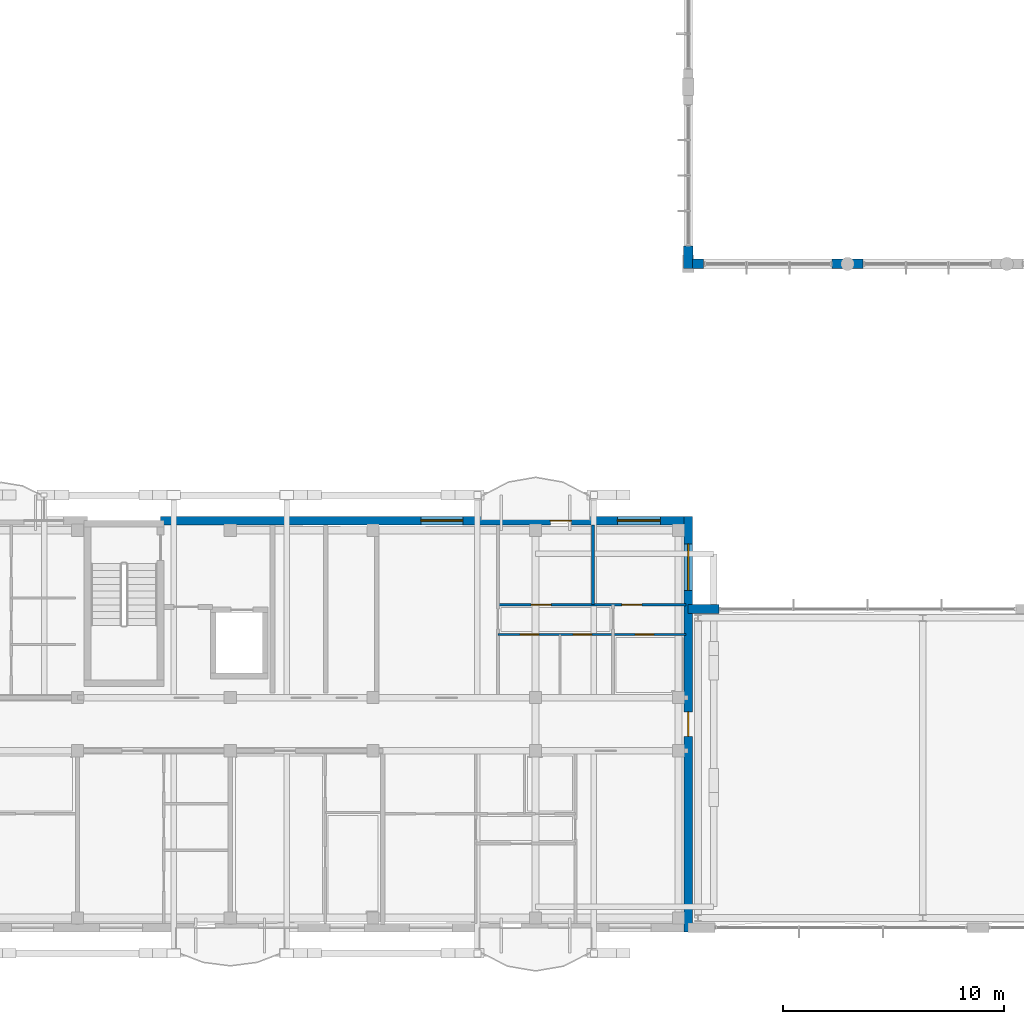
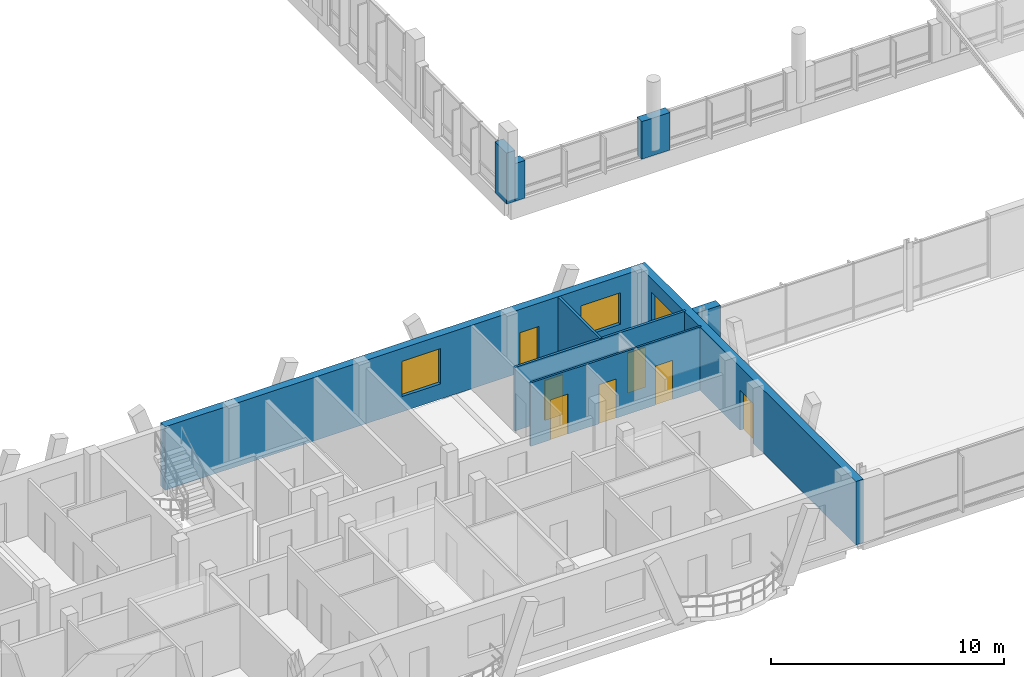
# One storey, part 145 of 189: 9 walls, 7 doors, 3 windows, 10 openings.
"""IFC4 building model written with IfcOpenShell, lengths in metres."""

from ifc_helpers import new_model, si_unit, direction, frame, frame_2d, origin, origin_with_axes, place, context, subcontext, project, spatial, rectangle, extrude, material, layer, layer_set, type_object, element, fill, save


model = new_model("IFC4")

# Units and contexts
model_context = context("Model", 3, precision=1e-05, world=origin(), true_north=direction((0.0, 1.0)))
body_context = subcontext(model_context, "Body", "Model", "MODEL_VIEW")
ifc_project = project(units=[si_unit("LENGTHUNIT", "METRE"), si_unit("AREAUNIT", "SQUARE_METRE"), si_unit("VOLUMEUNIT", "CUBIC_METRE"), si_unit("PLANEANGLEUNIT", "RADIAN"), si_unit("MASSUNIT", "GRAM", prefix="KILO")], contexts=[model_context])

# Site, building, storey
site_placement = place(None, origin())
site = spatial("IfcSite", under=ifc_project, at=site_placement, CompositionType="ELEMENT")
building_placement = place(site_placement, origin())
building = spatial("IfcBuilding", under=site, at=building_placement, Name="Zavelmont Quarter", CompositionType="ELEMENT")
storey_placement = place(building_placement, frame((0.0, 0.0, 4.39990234375)))
storey = spatial("IfcBuildingStorey", under=building, at=storey_placement, Name="L01", CompositionType="ELEMENT", Elevation=4.39990234375)

# Wall, openings, door, windows
ifc_material_1 = material(Name="Natural Belgian limestone", Category="masonry")
ifc_layer_1 = layer(ifc_material_1, 0.3798828125)
ifc_layer_set_1 = layer_set([ifc_layer_1], Name="Natural Belgian limestone")
wall_type_1 = type_object("IfcWallType", Name="EW01", PredefinedType="STANDARD", material=ifc_layer_set_1)
wall_1_placement = place(storey_placement, frame((31.35009765625, 18.39990234375, 0.0), z_axis=(0.0, 0.0, 1.0), x_axis=(1.0, 0.0, 0.0)))
wall_1 = element("IfcWall", 1, at=wall_1_placement, inside=storey, type_object=wall_type_1, Name="L01 exterior limestone wall EW01", PredefinedType="STANDARD", context=body_context, shape_type="SweptSolid", body=[
    extrude(rectangle(XDim=23.669921875, YDim=0.3798828125, at=frame_2d((11.8349609375, 0.0))), origin(), (0.0, 0.0, 1.0), 3.330078125),
])
opening_1_placement = place(wall_1_placement, frame((17.6201171875, 0.0, 0.0)))
opening_1 = element("IfcOpeningElement", 2, at=opening_1_placement, cuts=wall_1, Name="Opening DR04", PredefinedType="OPENING", context=body_context, shape_type="SweptSolid", body=[
    extrude(rectangle(XDim=0.949951171875, YDim=2.10009765625, at=frame_2d((0.47509765625, 1.050048828125))), frame((0.0, 0.201904296875, 0.0), z_axis=(0.0, -1.0, 0.0), x_axis=(1.0, 0.0, 0.0)), (0.0, 0.0, 1.0), 0.40380859375),
])
opening_2_placement = place(wall_1_placement, frame((11.77001953125, 0.0, 0.800048828125)))
opening_2 = element("IfcOpeningElement", 3, at=opening_2_placement, cuts=wall_1, Name="Opening WN20", PredefinedType="OPENING", context=body_context, shape_type="SweptSolid", body=[
    extrude(rectangle(XDim=1.89990234375, YDim=1.85009765625, at=frame_2d((0.949951171875, 0.925048828125))), frame((0.0, 0.201904296875, 0.0), z_axis=(0.0, -1.0, 0.0), x_axis=(1.0, 0.0, 0.0)), (0.0, 0.0, 1.0), 0.40380859375),
])
opening_3_placement = place(wall_1_placement, frame((20.64501953125, 0.0, 0.800048828125)))
opening_3 = element("IfcOpeningElement", 4, at=opening_3_placement, cuts=wall_1, Name="Opening WN24", PredefinedType="OPENING", context=body_context, shape_type="SweptSolid", body=[
    extrude(rectangle(XDim=1.949951171875, YDim=1.64990234375, at=frame_2d((0.97509765625, 0.824951171875))), frame((0.0, 0.201904296875, 0.0), z_axis=(0.0, -1.0, 0.0), x_axis=(1.0, 0.0, 0.0)), (0.0, 0.0, 1.0), 0.40380859375),
])
ifc_material_2 = material(Name="Thermally broken aluminium and double safety glass", Category="aluminium")
door_type_1 = type_object("IfcDoorType", Name="DR04", OperationType="NOTDEFINED", PredefinedType="DOOR", material=ifc_material_2)
door_1_placement = place(opening_1_placement, frame((0.949951171875, 0.0, 0.0), z_axis=(0.0, 0.0, 1.0), x_axis=(-1.0, 0.0, 0.0)))
door_1 = element("IfcDoor", 5, at=door_1_placement, inside=storey, type_object=door_type_1, Name="Block A L01 glazed balcony door", OperationType="SINGLE_SWING_RIGHT", OverallHeight=2.10009765625, OverallWidth=0.949951171875, PredefinedType="DOOR", context=body_context, shape_type="SweptSolid", body=[
    extrude(rectangle(XDim=0.949951171875, YDim=2.10009765625, at=frame_2d((0.47509765625, 1.050048828125))), frame((0.0, 0.02490234375, 0.0), z_axis=(0.0, -1.0, 0.0), x_axis=(1.0, 0.0, 0.0)), (0.0, 0.0, 1.0), 0.050048828125),
])
fill(opening_1, door_1)
ifc_material_3 = material(Name="Double low-E insulated glazing in thermally broken aluminium frame", Category="aluminium")
window_type_1 = type_object("IfcWindowType", Name="WN20", PartitioningType="SINGLE_PANEL", PredefinedType="WINDOW", material=ifc_material_3)
window_1_placement = place(opening_2_placement, origin_with_axes())
window_1 = element("IfcWindow", 6, at=window_1_placement, inside=storey, type_object=window_type_1, Name="L01 window WN20", OverallHeight=1.85009765625, OverallWidth=1.89990234375, PartitioningType="SINGLE_PANEL", PredefinedType="WINDOW", context=body_context, shape_type="SweptSolid", body=[
    extrude(rectangle(XDim=1.89990234375, YDim=1.85009765625, at=frame_2d((0.949951171875, 0.925048828125))), frame((0.0, 0.030029296875, 0.0), z_axis=(0.0, -1.0, 0.0), x_axis=(1.0, 0.0, 0.0)), (0.0, 0.0, 1.0), 0.06005859375),
])
fill(opening_2, window_1)
window_type_2 = type_object("IfcWindowType", Name="WN24", PartitioningType="SINGLE_PANEL", PredefinedType="WINDOW", material=ifc_material_3)
window_2_placement = place(opening_3_placement, origin_with_axes())
window_2 = element("IfcWindow", 7, at=window_2_placement, inside=storey, type_object=window_type_2, Name="L01 window WN24", OverallHeight=1.64990234375, OverallWidth=1.949951171875, PartitioningType="SINGLE_PANEL", PredefinedType="WINDOW", context=body_context, shape_type="SweptSolid", body=[
    extrude(rectangle(XDim=1.949951171875, YDim=1.64990234375, at=frame_2d((0.97509765625, 0.824951171875))), frame((0.0, 0.030029296875, 0.0), z_axis=(0.0, -1.0, 0.0), x_axis=(1.0, 0.0, 0.0)), (0.0, 0.0, 1.0), 0.06005859375),
])
fill(opening_3, window_2)

# Wall, openings, door, window
wall_2_placement = place(storey_placement, frame((55.199951171875, -0.18994140625, 0.0), z_axis=(0.0, 0.0, 1.0), x_axis=(0.0, 1.0, 0.0)))
wall_2 = element("IfcWall", 8, at=wall_2_placement, inside=storey, type_object=wall_type_1, Name="L01 exterior limestone wall EW01", PredefinedType="STANDARD", context=body_context, shape_type="SweptSolid", body=[
    extrude(rectangle(XDim=18.780029296875, YDim=0.3798828125, at=frame_2d((9.39013671875, 0.0))), origin(), (0.0, 0.0, 1.0), 3.330078125),
])
opening_4_placement = place(wall_2_placement, frame((8.840087890625, 0.0, 0.0)))
opening_4 = element("IfcOpeningElement", 9, at=opening_4_placement, cuts=wall_2, Name="Opening DR04B", PredefinedType="OPENING", context=body_context, shape_type="SweptSolid", body=[
    extrude(rectangle(XDim=1.10009765625, YDim=2.10009765625, at=frame_2d((0.550048828125, 1.050048828125))), frame((0.0, 0.201904296875, 0.0), z_axis=(0.0, -1.0, 0.0), x_axis=(1.0, 0.0, 0.0)), (0.0, 0.0, 1.0), 0.40380859375),
])
opening_5_placement = place(wall_2_placement, frame((15.43994140625, 0.0, 0.719970703125)))
opening_5 = element("IfcOpeningElement", 10, at=opening_5_placement, cuts=wall_2, Name="Opening WN05", PredefinedType="OPENING", context=body_context, shape_type="SweptSolid", body=[
    extrude(rectangle(XDim=2.10009765625, YDim=1.89990234375, at=frame_2d((1.050048828125, 0.949951171875))), frame((0.0, 0.201904296875, 0.0), z_axis=(0.0, -1.0, 0.0), x_axis=(1.0, 0.0, 0.0)), (0.0, 0.0, 1.0), 0.40380859375),
])
door_type_2 = type_object("IfcDoorType", Name="DR04B", OperationType="NOTDEFINED", PredefinedType="DOOR", material=ifc_material_2)
door_2_placement = place(opening_4_placement, origin_with_axes())
door_2 = element("IfcDoor", 11, at=door_2_placement, inside=storey, type_object=door_type_2, Name="Block A L01 street arcade link door", OperationType="SINGLE_SWING_LEFT", OverallHeight=2.10009765625, OverallWidth=1.10009765625, PredefinedType="DOOR", context=body_context, shape_type="SweptSolid", body=[
    extrude(rectangle(XDim=1.10009765625, YDim=2.10009765625, at=frame_2d((0.550048828125, 1.050048828125))), frame((0.0, 0.02490234375, 0.0), z_axis=(0.0, -1.0, 0.0), x_axis=(1.0, 0.0, 0.0)), (0.0, 0.0, 1.0), 0.050048828125),
])
fill(opening_4, door_2)
window_type_3 = type_object("IfcWindowType", Name="WN05", PartitioningType="SINGLE_PANEL", PredefinedType="WINDOW", material=ifc_material_3)
window_3_placement = place(opening_5_placement, origin_with_axes())
window_3 = element("IfcWindow", 12, at=window_3_placement, inside=storey, type_object=window_type_3, Name="L01 window WN05", OverallHeight=1.89990234375, OverallWidth=2.10009765625, PartitioningType="SINGLE_PANEL", PredefinedType="WINDOW", context=body_context, shape_type="SweptSolid", body=[
    extrude(rectangle(XDim=2.10009765625, YDim=1.89990234375, at=frame_2d((1.050048828125, 0.949951171875))), frame((0.0, 0.030029296875, 0.0), z_axis=(0.0, -1.0, 0.0), x_axis=(1.0, 0.0, 0.0)), (0.0, 0.0, 1.0), 0.06005859375),
])
fill(opening_5, window_3)

# Walls
ifc_layer_2 = layer(ifc_material_1, 0.419921875)
ifc_layer_set_2 = layer_set([ifc_layer_2], Name="Natural Belgian limestone")
wall_type_2 = type_object("IfcWallType", Name="EW04", PredefinedType="STANDARD", material=ifc_layer_set_2)
wall_3_placement = place(storey_placement, frame((55.199951171875, 29.7900390625, -0.27978515625), z_axis=(0.0, 0.0, 1.0), x_axis=(0.0, 1.0, 0.0)))
element("IfcWall", 13, at=wall_3_placement, inside=storey, type_object=wall_type_2, Name="L01 exterior limestone wall EW04", PredefinedType="STANDARD", context=body_context, shape_type="SweptSolid", body=[
    extrude(rectangle(XDim=1.010009765625, YDim=0.419921875, at=frame_2d((0.5048828125, 0.0))), origin(), (0.0, 0.0, 1.0), 2.6748046875),
])
wall_4_placement = place(storey_placement, frame((55.39990234375, 30.0, -0.27978515625), z_axis=(0.0, 0.0, 1.0), x_axis=(1.0, 0.0, 0.0)))
element("IfcWall", 14, at=wall_4_placement, inside=storey, type_object=wall_type_2, Name="L01 exterior limestone wall EW04", PredefinedType="STANDARD", context=body_context, shape_type="SweptSolid", body=[
    extrude(rectangle(XDim=0.5, YDim=0.419921875, at=frame_2d((0.25, 0.0))), origin(), (0.0, 0.0, 1.0), 1.974853515625),
])
wall_5_placement = place(storey_placement, frame((61.699951171875, 30.0, -0.27978515625), z_axis=(0.0, 0.0, 1.0), x_axis=(1.0, 0.0, 0.0)))
element("IfcWall", 15, at=wall_5_placement, inside=storey, type_object=wall_type_2, Name="L01 exterior limestone wall EW04", PredefinedType="STANDARD", context=body_context, shape_type="SweptSolid", body=[
    extrude(rectangle(XDim=1.400146484375, YDim=0.419921875, at=frame_2d((0.7001953125, 0.0))), origin(), (0.0, 0.0, 1.0), 1.974853515625),
])
wall_6_placement = place(storey_placement, frame((55.199951171875, 14.39990234375, 0.0), z_axis=(0.0, 0.0, 1.0), x_axis=(1.0, 0.0, 0.0)))
element("IfcWall", 16, at=wall_6_placement, inside=storey, type_object=wall_type_2, Name="L01 exterior limestone wall EW04", PredefinedType="STANDARD", context=body_context, shape_type="SweptSolid", body=[
    extrude(rectangle(XDim=1.400146484375, YDim=0.419921875, at=frame_2d((0.7001953125, 0.0))), origin(), (0.0, 0.0, 1.0), 3.31005859375),
])
ifc_material_4 = material(Name="Double gypsum board on acoustic steel stud", Category="steel")
ifc_layer_3 = layer(ifc_material_4, 0.125)
ifc_layer_set_3 = layer_set([ifc_layer_3], Name="Double gypsum board on acoustic steel stud")
wall_type_3 = type_object("IfcWallType", Name="IW03", PredefinedType="PARTITIONING", material=ifc_layer_set_3)
wall_7_placement = place(storey_placement, frame((50.89990234375, 14.60009765625, 0.0), z_axis=(0.0, 0.0, 1.0), x_axis=(0.0, 1.0, 0.0)))
element("IfcWall", 17, at=wall_7_placement, inside=storey, type_object=wall_type_3, Name="L01 Partition IW03", PredefinedType="PARTITIONING", context=body_context, shape_type="SweptSolid", body=[
    extrude(rectangle(XDim=3.599853515625, YDim=0.125, at=frame_2d((1.7998046875, 0.0))), origin(), (0.0, 0.0, 1.0), 3.330078125),
])

# Wall, openings, doors
wall_8_placement = place(storey_placement, frame((46.60009765625, 14.60009765625, 0.0), z_axis=(0.0, 0.0, 1.0), x_axis=(1.0, 0.0, 0.0)))
wall_8 = element("IfcWall", 18, at=wall_8_placement, inside=storey, type_object=wall_type_3, Name="L01 Partition IW03", PredefinedType="PARTITIONING", context=body_context, shape_type="SweptSolid", body=[
    extrude(rectangle(XDim=8.5, YDim=0.125, at=frame_2d((4.25, 0.0))), origin(), (0.0, 0.0, 1.0), 3.330078125),
])
opening_6_placement = place(wall_8_placement, frame((1.5, 0.0, 0.0)))
opening_6 = element("IfcOpeningElement", 19, at=opening_6_placement, cuts=wall_8, Name="Opening DR05", PredefinedType="OPENING", context=body_context, shape_type="SweptSolid", body=[
    extrude(rectangle(XDim=0.89990234375, YDim=2.10009765625, at=frame_2d((0.449951171875, 1.050048828125))), frame((0.0, 0.074462890625, 0.0), z_axis=(0.0, -1.0, 0.0), x_axis=(1.0, 0.0, 0.0)), (0.0, 0.0, 1.0), 0.14892578125),
])
opening_7_placement = place(wall_8_placement, frame((5.60009765625, 0.0, 0.0)))
opening_7 = element("IfcOpeningElement", 20, at=opening_7_placement, cuts=wall_8, Name="Opening DR05", PredefinedType="OPENING", context=body_context, shape_type="SweptSolid", body=[
    extrude(rectangle(XDim=0.89990234375, YDim=2.10009765625, at=frame_2d((0.449951171875, 1.050048828125))), frame((0.0, 0.074462890625, 0.0), z_axis=(0.0, -1.0, 0.0), x_axis=(1.0, 0.0, 0.0)), (0.0, 0.0, 1.0), 0.14892578125),
])
ifc_material_5 = material(Name="Engineered oak flush interior door")
door_type_3 = type_object("IfcDoorType", Name="DR05", OperationType="NOTDEFINED", PredefinedType="DOOR", material=ifc_material_5)
door_3_placement = place(opening_6_placement, origin_with_axes())
door_3 = element("IfcDoor", 21, at=door_3_placement, inside=storey, type_object=door_type_3, Name="L01 door DR05", OperationType="SINGLE_SWING_LEFT", OverallHeight=2.10009765625, OverallWidth=0.89990234375, PredefinedType="DOOR", context=body_context, shape_type="SweptSolid", body=[
    extrude(rectangle(XDim=0.89990234375, YDim=2.10009765625, at=frame_2d((0.449951171875, 1.050048828125))), frame((0.0, 0.02490234375, 0.0), z_axis=(0.0, -1.0, 0.0), x_axis=(1.0, 0.0, 0.0)), (0.0, 0.0, 1.0), 0.050048828125),
])
fill(opening_6, door_3)
door_4_placement = place(opening_7_placement, frame((0.89990234375, 0.0, 0.0), z_axis=(0.0, 0.0, 1.0), x_axis=(-1.0, 0.0, 0.0)))
door_4 = element("IfcDoor", 22, at=door_4_placement, inside=storey, type_object=door_type_3, Name="L01 door DR05", OperationType="SINGLE_SWING_RIGHT", OverallHeight=2.10009765625, OverallWidth=0.89990234375, PredefinedType="DOOR", context=body_context, shape_type="SweptSolid", body=[
    extrude(rectangle(XDim=0.89990234375, YDim=2.10009765625, at=frame_2d((0.449951171875, 1.050048828125))), frame((0.0, 0.02490234375, 0.0), z_axis=(0.0, -1.0, 0.0), x_axis=(1.0, 0.0, 0.0)), (0.0, 0.0, 1.0), 0.050048828125),
])
fill(opening_7, door_4)

ifc_material_6 = material(Name="Moisture-resistant gypsum board on steel stud", Category="steel")
ifc_layer_4 = layer(ifc_material_6, 0.10009765625)
ifc_layer_set_4 = layer_set([ifc_layer_4], Name="Moisture-resistant gypsum board on steel stud")
wall_type_4 = type_object("IfcWallType", Name="IW04", PredefinedType="PARTITIONING", material=ifc_layer_set_4)
wall_9_placement = place(storey_placement, frame((46.60009765625, 13.25, 0.0), z_axis=(0.0, 0.0, 1.0), x_axis=(1.0, 0.0, 0.0)))
wall_9 = element("IfcWall", 23, at=wall_9_placement, inside=storey, type_object=wall_type_4, Name="L01 Partition IW04", PredefinedType="PARTITIONING", context=body_context, shape_type="SweptSolid", body=[
    extrude(rectangle(XDim=8.5, YDim=0.10009765625, at=frame_2d((4.25, 0.0))), origin(), (0.0, 0.0, 1.0), 3.330078125),
])
opening_8_placement = place(wall_9_placement, frame((1.0, 0.0, 0.0)))
opening_8 = element("IfcOpeningElement", 24, at=opening_8_placement, cuts=wall_9, Name="Opening DR16", PredefinedType="OPENING", context=body_context, shape_type="SweptSolid", body=[
    extrude(rectangle(XDim=0.85009765625, YDim=2.10009765625, at=frame_2d((0.425048828125, 1.050048828125))), frame((0.0, 0.06201171875, 0.0), z_axis=(0.0, -1.0, 0.0), x_axis=(1.0, 0.0, 0.0)), (0.0, 0.0, 1.0), 0.1240234375),
])
opening_9_placement = place(wall_9_placement, frame((3.39990234375, 0.0, 0.0)))
opening_9 = element("IfcOpeningElement", 25, at=opening_9_placement, cuts=wall_9, Name="Opening DR06", PredefinedType="OPENING", context=body_context, shape_type="SweptSolid", body=[
    extrude(rectangle(XDim=0.85009765625, YDim=2.050048828125, at=frame_2d((0.425048828125, 1.02490234375))), frame((0.0, 0.06201171875, 0.0), z_axis=(0.0, -1.0, 0.0), x_axis=(1.0, 0.0, 0.0)), (0.0, 0.0, 1.0), 0.1240234375),
])
opening_10_placement = place(wall_9_placement, frame((6.199951171875, 0.0, 0.0)))
opening_10 = element("IfcOpeningElement", 26, at=opening_10_placement, cuts=wall_9, Name="Opening DR06", PredefinedType="OPENING", context=body_context, shape_type="SweptSolid", body=[
    extrude(rectangle(XDim=0.85009765625, YDim=2.050048828125, at=frame_2d((0.425048828125, 1.02490234375))), frame((0.0, 0.06201171875, 0.0), z_axis=(0.0, -1.0, 0.0), x_axis=(1.0, 0.0, 0.0)), (0.0, 0.0, 1.0), 0.1240234375),
])
ifc_material_7 = material(Name="Moisture-resistant painted wet-room door")
door_type_4 = type_object("IfcDoorType", Name="DR06", OperationType="NOTDEFINED", PredefinedType="DOOR", material=ifc_material_7)
door_5_placement = place(opening_9_placement, origin_with_axes())
door_5 = element("IfcDoor", 27, at=door_5_placement, inside=storey, type_object=door_type_4, Name="L01 door DR06", OperationType="SINGLE_SWING_LEFT", OverallHeight=2.050048828125, OverallWidth=0.85009765625, PredefinedType="DOOR", context=body_context, shape_type="SweptSolid", body=[
    extrude(rectangle(XDim=0.85009765625, YDim=2.050048828125, at=frame_2d((0.425048828125, 1.02490234375))), frame((0.0, 0.02490234375, 0.0), z_axis=(0.0, -1.0, 0.0), x_axis=(1.0, 0.0, 0.0)), (0.0, 0.0, 1.0), 0.050048828125),
])
fill(opening_9, door_5)
door_6_placement = place(opening_10_placement, frame((0.85009765625, 0.0, 0.0), z_axis=(0.0, 0.0, 1.0), x_axis=(-1.0, 0.0, 0.0)))
door_6 = element("IfcDoor", 28, at=door_6_placement, inside=storey, type_object=door_type_4, Name="L01 door DR06", OperationType="SINGLE_SWING_RIGHT", OverallHeight=2.050048828125, OverallWidth=0.85009765625, PredefinedType="DOOR", context=body_context, shape_type="SweptSolid", body=[
    extrude(rectangle(XDim=0.85009765625, YDim=2.050048828125, at=frame_2d((0.425048828125, 1.02490234375))), frame((0.0, 0.02490234375, 0.0), z_axis=(0.0, -1.0, 0.0), x_axis=(1.0, 0.0, 0.0)), (0.0, 0.0, 1.0), 0.050048828125),
])
fill(opening_10, door_6)
door_type_5 = type_object("IfcDoorType", Name="DR16", OperationType="NOTDEFINED", PredefinedType="DOOR", material=ifc_material_5)
door_7_placement = place(opening_8_placement, frame((0.85009765625, 0.0, 0.0), z_axis=(0.0, 0.0, 1.0), x_axis=(-1.0, 0.0, 0.0)))
door_7 = element("IfcDoor", 29, at=door_7_placement, inside=storey, type_object=door_type_5, Name="L01 door DR16", OperationType="SINGLE_SWING_RIGHT", OverallHeight=2.10009765625, OverallWidth=0.85009765625, PredefinedType="DOOR", context=body_context, shape_type="SweptSolid", body=[
    extrude(rectangle(XDim=0.85009765625, YDim=2.10009765625, at=frame_2d((0.425048828125, 1.050048828125))), frame((0.0, 0.02490234375, 0.0), z_axis=(0.0, -1.0, 0.0), x_axis=(1.0, 0.0, 0.0)), (0.0, 0.0, 1.0), 0.050048828125),
])
fill(opening_8, door_7)

save(model, "model.ifc")
